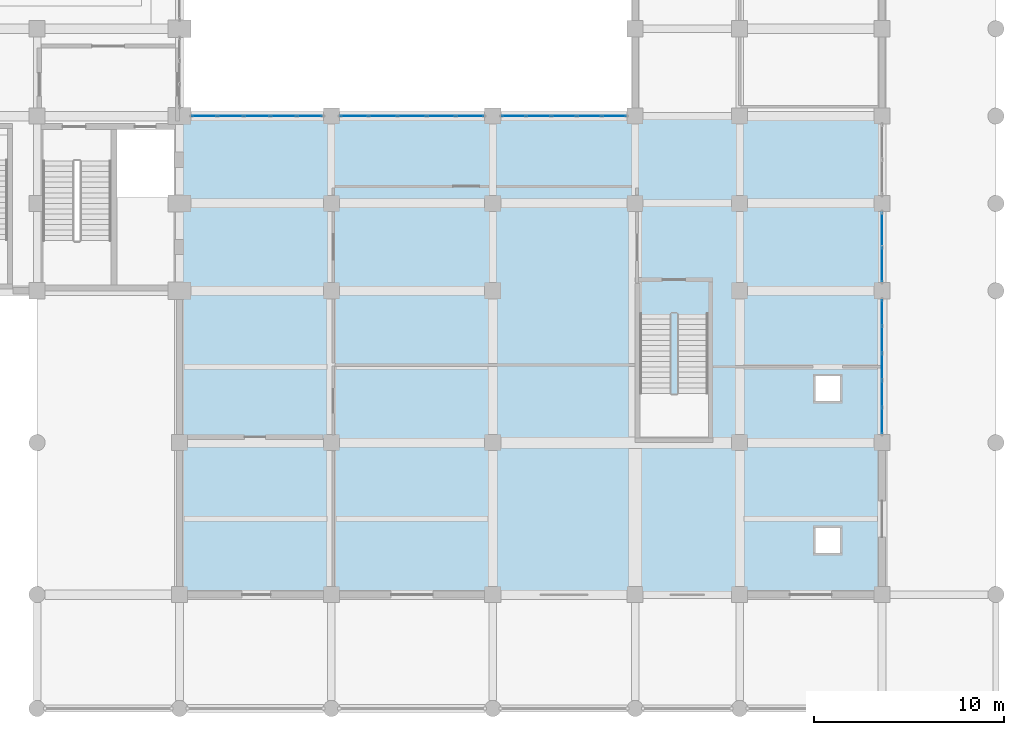
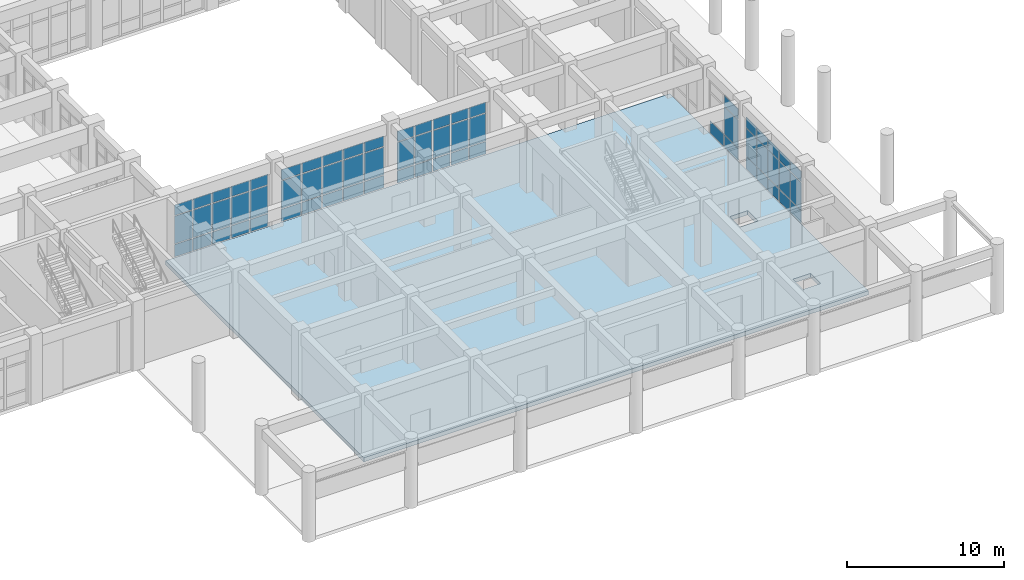
# One storey, part 57 of 84: 64 plates, 1 slab, 5 elements without a shape of their own.
"""IFC4 building model written with IfcOpenShell, lengths in metres."""

from ifc_helpers import new_model, si_unit, direction, frame, origin, origin_2d, place, context, subcontext, project, spatial, polyline, rectangle, outline, extrude, material, layer, layer_set, type_object, element, aggregate, save


model = new_model("IFC4")

# Units and contexts
model_context = context("Model", 3, precision=1e-05, world=origin(), true_north=direction((0.0, 1.0)))
body_context = subcontext(model_context, "Body", "Model", "MODEL_VIEW")
ifc_project = project(units=[si_unit("LENGTHUNIT", "METRE"), si_unit("AREAUNIT", "SQUARE_METRE"), si_unit("VOLUMEUNIT", "CUBIC_METRE"), si_unit("PLANEANGLEUNIT", "RADIAN"), si_unit("MASSUNIT", "GRAM", prefix="KILO")], contexts=[model_context])

# Site, building, storey
site_placement = place(None, origin())
site = spatial("IfcSite", under=ifc_project, at=site_placement, CompositionType="ELEMENT")
building_placement = place(site_placement, origin())
building = spatial("IfcBuilding", under=site, at=building_placement, Name="Muzn Square Opera House", CompositionType="ELEMENT")
storey_placement = place(building_placement, origin())
storey = spatial("IfcBuildingStorey", under=building, at=storey_placement, Name="L00", CompositionType="ELEMENT", Elevation=0.0)

# Curtain wall, plates
ifc_material_1 = material(Name="Low-E laminated acoustic double glazing", Category="glass")
ifc_layer_1 = layer(ifc_material_1, 0.159912109375, Name="Low-E laminated acoustic double glazing", Category="glass")
ifc_layer_set_1 = layer_set([ifc_layer_1], Name="Low-E laminated acoustic double glazing")
curtain_wall_type_1 = type_object("IfcCurtainWallType", Name="Glazed Curtain Wall EastCloisterS 6975x4150", PredefinedType="USERDEFINED", material=ifc_layer_set_1)
curtain_wall_1_placement = place(storey_placement, origin())
curtain_wall_1 = element("IfcCurtainWall", 1, at=curtain_wall_1_placement, inside=storey, type_object=curtain_wall_type_1, Name="Glazed Curtain Wall CW-L00-075", ObjectType="GLAZED CURTAIN WALL", PredefinedType="USERDEFINED")
ifc_layer_2 = layer(ifc_material_1, 0.035888671875, Name="Low-E laminated acoustic double glazing", Category="glass")
ifc_layer_set_2 = layer_set([ifc_layer_2], Name="Low-E laminated acoustic double glazing")
plate_type = type_object("IfcPlateType", Name="Curtain Wall Solar Glazed Panel 36mm", PredefinedType="CURTAIN_PANEL", material=ifc_layer_set_2)
plate_1_placement = place(storey_placement, frame((134.31494140625, 31.199951171875, 0.06982421875), z_axis=(0.0, 0.0, 1.0), x_axis=(1.0, 0.0, 0.0)))
plate_1 = element("IfcPlate", 2, at=plate_1_placement, type_object=plate_type, Name="CW-ECS-69x41 panel 1.1", PredefinedType="CURTAIN_PANEL", context=body_context, shape_type="SweptSolid", body=[
    extrude(rectangle(XDim=1.2900390625, YDim=0.035888671875, at=origin_2d()), origin(), (0.0, 0.0, 1.0), 0.945068359375),
])
plate_2_placement = place(storey_placement, frame((134.31494140625, 31.199951171875, 1.0849609375), z_axis=(0.0, 0.0, 1.0), x_axis=(1.0, 0.0, 0.0)))
plate_2 = element("IfcPlate", 3, at=plate_2_placement, type_object=plate_type, Name="CW-ECS-69x41 panel 1.2", PredefinedType="CURTAIN_PANEL", context=body_context, shape_type="SweptSolid", body=[
    extrude(rectangle(XDim=1.2900390625, YDim=0.035888671875, at=origin_2d()), origin(), (0.0, 0.0, 1.0), 2.1298828125),
])
plate_3_placement = place(storey_placement, frame((134.31494140625, 31.199951171875, 3.28515625), z_axis=(0.0, 0.0, 1.0), x_axis=(1.0, 0.0, 0.0)))
plate_3 = element("IfcPlate", 4, at=plate_3_placement, type_object=plate_type, Name="CW-ECS-69x41 panel 1.3", PredefinedType="CURTAIN_PANEL", context=body_context, shape_type="SweptSolid", body=[
    extrude(rectangle(XDim=1.2900390625, YDim=0.035888671875, at=origin_2d()), origin(), (0.0, 0.0, 1.0), 0.794921875),
])
plate_4_placement = place(storey_placement, frame((135.6923828125, 31.199951171875, 0.06982421875), z_axis=(0.0, 0.0, 1.0), x_axis=(1.0, 0.0, 0.0)))
plate_4 = element("IfcPlate", 5, at=plate_4_placement, type_object=plate_type, Name="CW-ECS-69x41 panel 2.1", PredefinedType="CURTAIN_PANEL", context=body_context, shape_type="SweptSolid", body=[
    extrude(rectangle(XDim=1.324951171875, YDim=0.035888671875, at=origin_2d()), origin(), (0.0, 0.0, 1.0), 0.945068359375),
])
plate_5_placement = place(storey_placement, frame((135.6923828125, 31.199951171875, 1.0849609375), z_axis=(0.0, 0.0, 1.0), x_axis=(1.0, 0.0, 0.0)))
plate_5 = element("IfcPlate", 6, at=plate_5_placement, type_object=plate_type, Name="CW-ECS-69x41 panel 2.2", PredefinedType="CURTAIN_PANEL", context=body_context, shape_type="SweptSolid", body=[
    extrude(rectangle(XDim=1.324951171875, YDim=0.035888671875, at=origin_2d()), origin(), (0.0, 0.0, 1.0), 2.1298828125),
])
plate_6_placement = place(storey_placement, frame((135.6923828125, 31.199951171875, 3.28515625), z_axis=(0.0, 0.0, 1.0), x_axis=(1.0, 0.0, 0.0)))
plate_6 = element("IfcPlate", 7, at=plate_6_placement, type_object=plate_type, Name="CW-ECS-69x41 panel 2.3", PredefinedType="CURTAIN_PANEL", context=body_context, shape_type="SweptSolid", body=[
    extrude(rectangle(XDim=1.324951171875, YDim=0.035888671875, at=origin_2d()), origin(), (0.0, 0.0, 1.0), 0.794921875),
])
plate_7_placement = place(storey_placement, frame((137.08740234375, 31.199951171875, 0.06982421875), z_axis=(0.0, 0.0, 1.0), x_axis=(1.0, 0.0, 0.0)))
plate_7 = element("IfcPlate", 8, at=plate_7_placement, type_object=plate_type, Name="CW-ECS-69x41 panel 3.1", PredefinedType="CURTAIN_PANEL", context=body_context, shape_type="SweptSolid", body=[
    extrude(rectangle(XDim=1.324951171875, YDim=0.035888671875, at=origin_2d()), origin(), (0.0, 0.0, 1.0), 0.945068359375),
])
plate_8_placement = place(storey_placement, frame((137.08740234375, 31.199951171875, 1.0849609375), z_axis=(0.0, 0.0, 1.0), x_axis=(1.0, 0.0, 0.0)))
plate_8 = element("IfcPlate", 9, at=plate_8_placement, type_object=plate_type, Name="CW-ECS-69x41 panel 3.2", PredefinedType="CURTAIN_PANEL", context=body_context, shape_type="SweptSolid", body=[
    extrude(rectangle(XDim=1.324951171875, YDim=0.035888671875, at=origin_2d()), origin(), (0.0, 0.0, 1.0), 2.1298828125),
])
plate_9_placement = place(storey_placement, frame((137.08740234375, 31.199951171875, 3.28515625), z_axis=(0.0, 0.0, 1.0), x_axis=(1.0, 0.0, 0.0)))
plate_9 = element("IfcPlate", 10, at=plate_9_placement, type_object=plate_type, Name="CW-ECS-69x41 panel 3.3", PredefinedType="CURTAIN_PANEL", context=body_context, shape_type="SweptSolid", body=[
    extrude(rectangle(XDim=1.324951171875, YDim=0.035888671875, at=origin_2d()), origin(), (0.0, 0.0, 1.0), 0.794921875),
])
plate_10_placement = place(storey_placement, frame((138.482421875, 31.199951171875, 0.06982421875), z_axis=(0.0, 0.0, 1.0), x_axis=(1.0, 0.0, 0.0)))
plate_10 = element("IfcPlate", 11, at=plate_10_placement, type_object=plate_type, Name="CW-ECS-69x41 panel 4.1", PredefinedType="CURTAIN_PANEL", context=body_context, shape_type="SweptSolid", body=[
    extrude(rectangle(XDim=1.324951171875, YDim=0.035888671875, at=origin_2d()), origin(), (0.0, 0.0, 1.0), 0.945068359375),
])
plate_11_placement = place(storey_placement, frame((138.482421875, 31.199951171875, 1.0849609375), z_axis=(0.0, 0.0, 1.0), x_axis=(1.0, 0.0, 0.0)))
plate_11 = element("IfcPlate", 12, at=plate_11_placement, type_object=plate_type, Name="CW-ECS-69x41 panel 4.2", PredefinedType="CURTAIN_PANEL", context=body_context, shape_type="SweptSolid", body=[
    extrude(rectangle(XDim=1.324951171875, YDim=0.035888671875, at=origin_2d()), origin(), (0.0, 0.0, 1.0), 2.1298828125),
])
plate_12_placement = place(storey_placement, frame((138.482421875, 31.199951171875, 3.28515625), z_axis=(0.0, 0.0, 1.0), x_axis=(1.0, 0.0, 0.0)))
plate_12 = element("IfcPlate", 13, at=plate_12_placement, type_object=plate_type, Name="CW-ECS-69x41 panel 4.3", PredefinedType="CURTAIN_PANEL", context=body_context, shape_type="SweptSolid", body=[
    extrude(rectangle(XDim=1.324951171875, YDim=0.035888671875, at=origin_2d()), origin(), (0.0, 0.0, 1.0), 0.794921875),
])
plate_13_placement = place(storey_placement, frame((139.860107421875, 31.199951171875, 0.06982421875), z_axis=(0.0, 0.0, 1.0), x_axis=(1.0, 0.0, 0.0)))
plate_13 = element("IfcPlate", 14, at=plate_13_placement, type_object=plate_type, Name="CW-ECS-69x41 panel 5.1", PredefinedType="CURTAIN_PANEL", context=body_context, shape_type="SweptSolid", body=[
    extrude(rectangle(XDim=1.2900390625, YDim=0.035888671875, at=origin_2d()), origin(), (0.0, 0.0, 1.0), 0.945068359375),
])
plate_14_placement = place(storey_placement, frame((139.860107421875, 31.199951171875, 1.0849609375), z_axis=(0.0, 0.0, 1.0), x_axis=(1.0, 0.0, 0.0)))
plate_14 = element("IfcPlate", 15, at=plate_14_placement, type_object=plate_type, Name="CW-ECS-69x41 panel 5.2", PredefinedType="CURTAIN_PANEL", context=body_context, shape_type="SweptSolid", body=[
    extrude(rectangle(XDim=1.2900390625, YDim=0.035888671875, at=origin_2d()), origin(), (0.0, 0.0, 1.0), 2.1298828125),
])
plate_15_placement = place(storey_placement, frame((139.860107421875, 31.199951171875, 3.28515625), z_axis=(0.0, 0.0, 1.0), x_axis=(1.0, 0.0, 0.0)))
plate_15 = element("IfcPlate", 16, at=plate_15_placement, type_object=plate_type, Name="CW-ECS-69x41 panel 5.3", PredefinedType="CURTAIN_PANEL", context=body_context, shape_type="SweptSolid", body=[
    extrude(rectangle(XDim=1.2900390625, YDim=0.035888671875, at=origin_2d()), origin(), (0.0, 0.0, 1.0), 0.794921875),
])
aggregate(curtain_wall_1, [plate_1, plate_2, plate_3, plate_4, plate_5, plate_6, plate_7, plate_8, plate_9, plate_10, plate_11, plate_12, plate_13, plate_14, plate_15])

ifc_layer_3 = layer(ifc_material_1, 0.159912109375, Name="Low-E laminated acoustic double glazing", Category="glass")
ifc_layer_set_3 = layer_set([ifc_layer_3], Name="Low-E laminated acoustic double glazing")
curtain_wall_type_2 = type_object("IfcCurtainWallType", Name="Glazed Curtain Wall EastCloisterS 7650x4150", PredefinedType="USERDEFINED", material=ifc_layer_set_3)
curtain_wall_2_placement = place(storey_placement, origin())
curtain_wall_2 = element("IfcCurtainWall", 17, at=curtain_wall_2_placement, inside=storey, type_object=curtain_wall_type_2, Name="Glazed Curtain Wall CW-L00-077", ObjectType="GLAZED CURTAIN WALL", PredefinedType="USERDEFINED")
plate_16_placement = place(storey_placement, frame((142.20751953125, 31.199951171875, 0.06982421875), z_axis=(0.0, 0.0, 1.0), x_axis=(1.0, 0.0, 0.0)))
plate_16 = element("IfcPlate", 18, at=plate_16_placement, type_object=plate_type, Name="CW-ECS-76x41 panel 1.1", PredefinedType="CURTAIN_PANEL", context=body_context, shape_type="SweptSolid", body=[
    extrude(rectangle(XDim=1.425048828125, YDim=0.035888671875, at=origin_2d()), origin(), (0.0, 0.0, 1.0), 0.945068359375),
])
plate_17_placement = place(storey_placement, frame((142.20751953125, 31.199951171875, 1.0849609375), z_axis=(0.0, 0.0, 1.0), x_axis=(1.0, 0.0, 0.0)))
plate_17 = element("IfcPlate", 19, at=plate_17_placement, type_object=plate_type, Name="CW-ECS-76x41 panel 1.2", PredefinedType="CURTAIN_PANEL", context=body_context, shape_type="SweptSolid", body=[
    extrude(rectangle(XDim=1.425048828125, YDim=0.035888671875, at=origin_2d()), origin(), (0.0, 0.0, 1.0), 2.1298828125),
])
plate_18_placement = place(storey_placement, frame((142.20751953125, 31.199951171875, 3.28515625), z_axis=(0.0, 0.0, 1.0), x_axis=(1.0, 0.0, 0.0)))
plate_18 = element("IfcPlate", 20, at=plate_18_placement, type_object=plate_type, Name="CW-ECS-76x41 panel 1.3", PredefinedType="CURTAIN_PANEL", context=body_context, shape_type="SweptSolid", body=[
    extrude(rectangle(XDim=1.425048828125, YDim=0.035888671875, at=origin_2d()), origin(), (0.0, 0.0, 1.0), 0.794921875),
])
plate_19_placement = place(storey_placement, frame((143.719970703125, 31.199951171875, 0.06982421875), z_axis=(0.0, 0.0, 1.0), x_axis=(1.0, 0.0, 0.0)))
plate_19 = element("IfcPlate", 21, at=plate_19_placement, type_object=plate_type, Name="CW-ECS-76x41 panel 2.1", PredefinedType="CURTAIN_PANEL", context=body_context, shape_type="SweptSolid", body=[
    extrude(rectangle(XDim=1.4599609375, YDim=0.035888671875, at=origin_2d()), origin(), (0.0, 0.0, 1.0), 0.945068359375),
])
plate_20_placement = place(storey_placement, frame((143.719970703125, 31.199951171875, 1.0849609375), z_axis=(0.0, 0.0, 1.0), x_axis=(1.0, 0.0, 0.0)))
plate_20 = element("IfcPlate", 22, at=plate_20_placement, type_object=plate_type, Name="CW-ECS-76x41 panel 2.2", PredefinedType="CURTAIN_PANEL", context=body_context, shape_type="SweptSolid", body=[
    extrude(rectangle(XDim=1.4599609375, YDim=0.035888671875, at=origin_2d()), origin(), (0.0, 0.0, 1.0), 2.1298828125),
])
plate_21_placement = place(storey_placement, frame((143.719970703125, 31.199951171875, 3.28515625), z_axis=(0.0, 0.0, 1.0), x_axis=(1.0, 0.0, 0.0)))
plate_21 = element("IfcPlate", 23, at=plate_21_placement, type_object=plate_type, Name="CW-ECS-76x41 panel 2.3", PredefinedType="CURTAIN_PANEL", context=body_context, shape_type="SweptSolid", body=[
    extrude(rectangle(XDim=1.4599609375, YDim=0.035888671875, at=origin_2d()), origin(), (0.0, 0.0, 1.0), 0.794921875),
])
plate_22_placement = place(storey_placement, frame((145.25, 31.199951171875, 0.06982421875), z_axis=(0.0, 0.0, 1.0), x_axis=(1.0, 0.0, 0.0)))
plate_22 = element("IfcPlate", 24, at=plate_22_placement, type_object=plate_type, Name="CW-ECS-76x41 panel 3.1", PredefinedType="CURTAIN_PANEL", context=body_context, shape_type="SweptSolid", body=[
    extrude(rectangle(XDim=1.4599609375, YDim=0.035888671875, at=origin_2d()), origin(), (0.0, 0.0, 1.0), 0.945068359375),
])
plate_23_placement = place(storey_placement, frame((145.25, 31.199951171875, 1.0849609375), z_axis=(0.0, 0.0, 1.0), x_axis=(1.0, 0.0, 0.0)))
plate_23 = element("IfcPlate", 25, at=plate_23_placement, type_object=plate_type, Name="CW-ECS-76x41 panel 3.2", PredefinedType="CURTAIN_PANEL", context=body_context, shape_type="SweptSolid", body=[
    extrude(rectangle(XDim=1.4599609375, YDim=0.035888671875, at=origin_2d()), origin(), (0.0, 0.0, 1.0), 2.1298828125),
])
plate_24_placement = place(storey_placement, frame((145.25, 31.199951171875, 3.28515625), z_axis=(0.0, 0.0, 1.0), x_axis=(1.0, 0.0, 0.0)))
plate_24 = element("IfcPlate", 26, at=plate_24_placement, type_object=plate_type, Name="CW-ECS-76x41 panel 3.3", PredefinedType="CURTAIN_PANEL", context=body_context, shape_type="SweptSolid", body=[
    extrude(rectangle(XDim=1.4599609375, YDim=0.035888671875, at=origin_2d()), origin(), (0.0, 0.0, 1.0), 0.794921875),
])
plate_25_placement = place(storey_placement, frame((146.780029296875, 31.199951171875, 0.06982421875), z_axis=(0.0, 0.0, 1.0), x_axis=(1.0, 0.0, 0.0)))
plate_25 = element("IfcPlate", 27, at=plate_25_placement, type_object=plate_type, Name="CW-ECS-76x41 panel 4.1", PredefinedType="CURTAIN_PANEL", context=body_context, shape_type="SweptSolid", body=[
    extrude(rectangle(XDim=1.4599609375, YDim=0.035888671875, at=origin_2d()), origin(), (0.0, 0.0, 1.0), 0.945068359375),
])
plate_26_placement = place(storey_placement, frame((146.780029296875, 31.199951171875, 1.0849609375), z_axis=(0.0, 0.0, 1.0), x_axis=(1.0, 0.0, 0.0)))
plate_26 = element("IfcPlate", 28, at=plate_26_placement, type_object=plate_type, Name="CW-ECS-76x41 panel 4.2", PredefinedType="CURTAIN_PANEL", context=body_context, shape_type="SweptSolid", body=[
    extrude(rectangle(XDim=1.4599609375, YDim=0.035888671875, at=origin_2d()), origin(), (0.0, 0.0, 1.0), 2.1298828125),
])
plate_27_placement = place(storey_placement, frame((146.780029296875, 31.199951171875, 3.28515625), z_axis=(0.0, 0.0, 1.0), x_axis=(1.0, 0.0, 0.0)))
plate_27 = element("IfcPlate", 29, at=plate_27_placement, type_object=plate_type, Name="CW-ECS-76x41 panel 4.3", PredefinedType="CURTAIN_PANEL", context=body_context, shape_type="SweptSolid", body=[
    extrude(rectangle(XDim=1.4599609375, YDim=0.035888671875, at=origin_2d()), origin(), (0.0, 0.0, 1.0), 0.794921875),
])
plate_28_placement = place(storey_placement, frame((148.29248046875, 31.199951171875, 0.06982421875), z_axis=(0.0, 0.0, 1.0), x_axis=(1.0, 0.0, 0.0)))
plate_28 = element("IfcPlate", 30, at=plate_28_placement, type_object=plate_type, Name="CW-ECS-76x41 panel 5.1", PredefinedType="CURTAIN_PANEL", context=body_context, shape_type="SweptSolid", body=[
    extrude(rectangle(XDim=1.425048828125, YDim=0.035888671875, at=origin_2d()), origin(), (0.0, 0.0, 1.0), 0.945068359375),
])
plate_29_placement = place(storey_placement, frame((148.29248046875, 31.199951171875, 1.0849609375), z_axis=(0.0, 0.0, 1.0), x_axis=(1.0, 0.0, 0.0)))
plate_29 = element("IfcPlate", 31, at=plate_29_placement, type_object=plate_type, Name="CW-ECS-76x41 panel 5.2", PredefinedType="CURTAIN_PANEL", context=body_context, shape_type="SweptSolid", body=[
    extrude(rectangle(XDim=1.425048828125, YDim=0.035888671875, at=origin_2d()), origin(), (0.0, 0.0, 1.0), 2.1298828125),
])
plate_30_placement = place(storey_placement, frame((148.29248046875, 31.199951171875, 3.28515625), z_axis=(0.0, 0.0, 1.0), x_axis=(1.0, 0.0, 0.0)))
plate_30 = element("IfcPlate", 32, at=plate_30_placement, type_object=plate_type, Name="CW-ECS-76x41 panel 5.3", PredefinedType="CURTAIN_PANEL", context=body_context, shape_type="SweptSolid", body=[
    extrude(rectangle(XDim=1.425048828125, YDim=0.035888671875, at=origin_2d()), origin(), (0.0, 0.0, 1.0), 0.794921875),
])
aggregate(curtain_wall_2, [plate_16, plate_17, plate_18, plate_19, plate_20, plate_21, plate_22, plate_23, plate_24, plate_25, plate_26, plate_27, plate_28, plate_29, plate_30])

ifc_layer_4 = layer(ifc_material_1, 0.159912109375, Name="Low-E laminated acoustic double glazing", Category="glass")
ifc_layer_set_4 = layer_set([ifc_layer_4], Name="Low-E laminated acoustic double glazing")
curtain_wall_type_3 = type_object("IfcCurtainWallType", Name="Glazed Curtain Wall EastCloisterS 6650x4150", PredefinedType="USERDEFINED", material=ifc_layer_set_4)
curtain_wall_3_placement = place(storey_placement, origin())
curtain_wall_3 = element("IfcCurtainWall", 33, at=curtain_wall_3_placement, inside=storey, type_object=curtain_wall_type_3, Name="Glazed Curtain Wall CW-L00-079", ObjectType="GLAZED CURTAIN WALL", PredefinedType="USERDEFINED")
plate_31_placement = place(storey_placement, frame((150.607421875, 31.199951171875, 0.06982421875), z_axis=(0.0, 0.0, 1.0), x_axis=(1.0, 0.0, 0.0)))
plate_31 = element("IfcPlate", 34, at=plate_31_placement, type_object=plate_type, Name="CW-ECS-66x41 panel 1.1", PredefinedType="CURTAIN_PANEL", context=body_context, shape_type="SweptSolid", body=[
    extrude(rectangle(XDim=1.22509765625, YDim=0.035888671875, at=origin_2d()), origin(), (0.0, 0.0, 1.0), 0.945068359375),
])
plate_32_placement = place(storey_placement, frame((150.607421875, 31.199951171875, 1.0849609375), z_axis=(0.0, 0.0, 1.0), x_axis=(1.0, 0.0, 0.0)))
plate_32 = element("IfcPlate", 35, at=plate_32_placement, type_object=plate_type, Name="CW-ECS-66x41 panel 1.2", PredefinedType="CURTAIN_PANEL", context=body_context, shape_type="SweptSolid", body=[
    extrude(rectangle(XDim=1.22509765625, YDim=0.035888671875, at=origin_2d()), origin(), (0.0, 0.0, 1.0), 2.1298828125),
])
plate_33_placement = place(storey_placement, frame((150.607421875, 31.199951171875, 3.28515625), z_axis=(0.0, 0.0, 1.0), x_axis=(1.0, 0.0, 0.0)))
plate_33 = element("IfcPlate", 36, at=plate_33_placement, type_object=plate_type, Name="CW-ECS-66x41 panel 1.3", PredefinedType="CURTAIN_PANEL", context=body_context, shape_type="SweptSolid", body=[
    extrude(rectangle(XDim=1.22509765625, YDim=0.035888671875, at=origin_2d()), origin(), (0.0, 0.0, 1.0), 0.794921875),
])
plate_34_placement = place(storey_placement, frame((151.919921875, 31.199951171875, 0.06982421875), z_axis=(0.0, 0.0, 1.0), x_axis=(1.0, 0.0, 0.0)))
plate_34 = element("IfcPlate", 37, at=plate_34_placement, type_object=plate_type, Name="CW-ECS-66x41 panel 2.1", PredefinedType="CURTAIN_PANEL", context=body_context, shape_type="SweptSolid", body=[
    extrude(rectangle(XDim=1.260009765625, YDim=0.035888671875, at=origin_2d()), origin(), (0.0, 0.0, 1.0), 0.945068359375),
])
plate_35_placement = place(storey_placement, frame((151.919921875, 31.199951171875, 1.0849609375), z_axis=(0.0, 0.0, 1.0), x_axis=(1.0, 0.0, 0.0)))
plate_35 = element("IfcPlate", 38, at=plate_35_placement, type_object=plate_type, Name="CW-ECS-66x41 panel 2.2", PredefinedType="CURTAIN_PANEL", context=body_context, shape_type="SweptSolid", body=[
    extrude(rectangle(XDim=1.260009765625, YDim=0.035888671875, at=origin_2d()), origin(), (0.0, 0.0, 1.0), 2.1298828125),
])
plate_36_placement = place(storey_placement, frame((151.919921875, 31.199951171875, 3.28515625), z_axis=(0.0, 0.0, 1.0), x_axis=(1.0, 0.0, 0.0)))
plate_36 = element("IfcPlate", 39, at=plate_36_placement, type_object=plate_type, Name="CW-ECS-66x41 panel 2.3", PredefinedType="CURTAIN_PANEL", context=body_context, shape_type="SweptSolid", body=[
    extrude(rectangle(XDim=1.260009765625, YDim=0.035888671875, at=origin_2d()), origin(), (0.0, 0.0, 1.0), 0.794921875),
])
plate_37_placement = place(storey_placement, frame((153.25, 31.199951171875, 0.06982421875), z_axis=(0.0, 0.0, 1.0), x_axis=(1.0, 0.0, 0.0)))
plate_37 = element("IfcPlate", 40, at=plate_37_placement, type_object=plate_type, Name="CW-ECS-66x41 panel 3.1", PredefinedType="CURTAIN_PANEL", context=body_context, shape_type="SweptSolid", body=[
    extrude(rectangle(XDim=1.260009765625, YDim=0.035888671875, at=origin_2d()), origin(), (0.0, 0.0, 1.0), 0.945068359375),
])
plate_38_placement = place(storey_placement, frame((153.25, 31.199951171875, 1.0849609375), z_axis=(0.0, 0.0, 1.0), x_axis=(1.0, 0.0, 0.0)))
plate_38 = element("IfcPlate", 41, at=plate_38_placement, type_object=plate_type, Name="CW-ECS-66x41 panel 3.2", PredefinedType="CURTAIN_PANEL", context=body_context, shape_type="SweptSolid", body=[
    extrude(rectangle(XDim=1.260009765625, YDim=0.035888671875, at=origin_2d()), origin(), (0.0, 0.0, 1.0), 2.1298828125),
])
plate_39_placement = place(storey_placement, frame((153.25, 31.199951171875, 3.28515625), z_axis=(0.0, 0.0, 1.0), x_axis=(1.0, 0.0, 0.0)))
plate_39 = element("IfcPlate", 42, at=plate_39_placement, type_object=plate_type, Name="CW-ECS-66x41 panel 3.3", PredefinedType="CURTAIN_PANEL", context=body_context, shape_type="SweptSolid", body=[
    extrude(rectangle(XDim=1.260009765625, YDim=0.035888671875, at=origin_2d()), origin(), (0.0, 0.0, 1.0), 0.794921875),
])
plate_40_placement = place(storey_placement, frame((154.580078125, 31.199951171875, 0.06982421875), z_axis=(0.0, 0.0, 1.0), x_axis=(1.0, 0.0, 0.0)))
plate_40 = element("IfcPlate", 43, at=plate_40_placement, type_object=plate_type, Name="CW-ECS-66x41 panel 4.1", PredefinedType="CURTAIN_PANEL", context=body_context, shape_type="SweptSolid", body=[
    extrude(rectangle(XDim=1.260009765625, YDim=0.035888671875, at=origin_2d()), origin(), (0.0, 0.0, 1.0), 0.945068359375),
])
plate_41_placement = place(storey_placement, frame((154.580078125, 31.199951171875, 1.0849609375), z_axis=(0.0, 0.0, 1.0), x_axis=(1.0, 0.0, 0.0)))
plate_41 = element("IfcPlate", 44, at=plate_41_placement, type_object=plate_type, Name="CW-ECS-66x41 panel 4.2", PredefinedType="CURTAIN_PANEL", context=body_context, shape_type="SweptSolid", body=[
    extrude(rectangle(XDim=1.260009765625, YDim=0.035888671875, at=origin_2d()), origin(), (0.0, 0.0, 1.0), 2.1298828125),
])
plate_42_placement = place(storey_placement, frame((154.580078125, 31.199951171875, 3.28515625), z_axis=(0.0, 0.0, 1.0), x_axis=(1.0, 0.0, 0.0)))
plate_42 = element("IfcPlate", 45, at=plate_42_placement, type_object=plate_type, Name="CW-ECS-66x41 panel 4.3", PredefinedType="CURTAIN_PANEL", context=body_context, shape_type="SweptSolid", body=[
    extrude(rectangle(XDim=1.260009765625, YDim=0.035888671875, at=origin_2d()), origin(), (0.0, 0.0, 1.0), 0.794921875),
])
plate_43_placement = place(storey_placement, frame((155.892578125, 31.199951171875, 0.06982421875), z_axis=(0.0, 0.0, 1.0), x_axis=(1.0, 0.0, 0.0)))
plate_43 = element("IfcPlate", 46, at=plate_43_placement, type_object=plate_type, Name="CW-ECS-66x41 panel 5.1", PredefinedType="CURTAIN_PANEL", context=body_context, shape_type="SweptSolid", body=[
    extrude(rectangle(XDim=1.22509765625, YDim=0.035888671875, at=origin_2d()), origin(), (0.0, 0.0, 1.0), 0.945068359375),
])
plate_44_placement = place(storey_placement, frame((155.892578125, 31.199951171875, 1.0849609375), z_axis=(0.0, 0.0, 1.0), x_axis=(1.0, 0.0, 0.0)))
plate_44 = element("IfcPlate", 47, at=plate_44_placement, type_object=plate_type, Name="CW-ECS-66x41 panel 5.2", PredefinedType="CURTAIN_PANEL", context=body_context, shape_type="SweptSolid", body=[
    extrude(rectangle(XDim=1.22509765625, YDim=0.035888671875, at=origin_2d()), origin(), (0.0, 0.0, 1.0), 2.1298828125),
])
plate_45_placement = place(storey_placement, frame((155.892578125, 31.199951171875, 3.28515625), z_axis=(0.0, 0.0, 1.0), x_axis=(1.0, 0.0, 0.0)))
plate_45 = element("IfcPlate", 48, at=plate_45_placement, type_object=plate_type, Name="CW-ECS-66x41 panel 5.3", PredefinedType="CURTAIN_PANEL", context=body_context, shape_type="SweptSolid", body=[
    extrude(rectangle(XDim=1.22509765625, YDim=0.035888671875, at=origin_2d()), origin(), (0.0, 0.0, 1.0), 0.794921875),
])
aggregate(curtain_wall_3, [plate_31, plate_32, plate_33, plate_34, plate_35, plate_36, plate_37, plate_38, plate_39, plate_40, plate_41, plate_42, plate_43, plate_44, plate_45])

ifc_layer_5 = layer(ifc_material_1, 0.159912109375, Name="Low-E laminated acoustic double glazing", Category="glass")
ifc_layer_set_5 = layer_set([ifc_layer_5], Name="Low-E laminated acoustic double glazing")
curtain_wall_type_4 = type_object("IfcCurtainWallType", Name="Glazed Curtain Wall EastBlvd 7150x4150", PredefinedType="USERDEFINED", material=ifc_layer_set_5)
curtain_wall_4_placement = place(storey_placement, origin())
curtain_wall_4 = element("IfcCurtainWall", 49, at=curtain_wall_4_placement, inside=storey, type_object=curtain_wall_type_4, Name="Glazed Curtain Wall CW-L00-105", ObjectType="GLAZED CURTAIN WALL", PredefinedType="USERDEFINED")
plate_46_placement = place(storey_placement, frame((170.0, 15.157470703125, 0.06982421875), z_axis=(0.0, 0.0, 1.0), x_axis=(0.0, 1.0, 0.0)))
plate_46 = element("IfcPlate", 50, at=plate_46_placement, type_object=plate_type, Name="CW-EBL-71x41 panel 1.1", PredefinedType="CURTAIN_PANEL", context=body_context, shape_type="SweptSolid", body=[
    extrude(rectangle(XDim=1.324951171875, YDim=0.035888671875, at=origin_2d()), origin(), (0.0, 0.0, 1.0), 0.945068359375),
])
plate_47_placement = place(storey_placement, frame((170.0, 15.157470703125, 1.0849609375), z_axis=(0.0, 0.0, 1.0), x_axis=(0.0, 1.0, 0.0)))
plate_47 = element("IfcPlate", 51, at=plate_47_placement, type_object=plate_type, Name="CW-EBL-71x41 panel 1.2", PredefinedType="CURTAIN_PANEL", context=body_context, shape_type="SweptSolid", body=[
    extrude(rectangle(XDim=1.324951171875, YDim=0.035888671875, at=origin_2d()), origin(), (0.0, 0.0, 1.0), 2.1298828125),
])
plate_48_placement = place(storey_placement, frame((170.0, 15.157470703125, 3.28515625), z_axis=(0.0, 0.0, 1.0), x_axis=(0.0, 1.0, 0.0)))
plate_48 = element("IfcPlate", 52, at=plate_48_placement, type_object=plate_type, Name="CW-EBL-71x41 panel 1.3", PredefinedType="CURTAIN_PANEL", context=body_context, shape_type="SweptSolid", body=[
    extrude(rectangle(XDim=1.324951171875, YDim=0.035888671875, at=origin_2d()), origin(), (0.0, 0.0, 1.0), 0.794921875),
])
plate_49_placement = place(storey_placement, frame((170.0, 16.570068359375, 0.06982421875), z_axis=(0.0, 0.0, 1.0), x_axis=(0.0, 1.0, 0.0)))
plate_49 = element("IfcPlate", 53, at=plate_49_placement, type_object=plate_type, Name="CW-EBL-71x41 panel 2.1", PredefinedType="CURTAIN_PANEL", context=body_context, shape_type="SweptSolid", body=[
    extrude(rectangle(XDim=1.360107421875, YDim=0.035888671875, at=origin_2d()), origin(), (0.0, 0.0, 1.0), 0.945068359375),
])
plate_50_placement = place(storey_placement, frame((170.0, 16.570068359375, 1.0849609375), z_axis=(0.0, 0.0, 1.0), x_axis=(0.0, 1.0, 0.0)))
plate_50 = element("IfcPlate", 54, at=plate_50_placement, type_object=plate_type, Name="CW-EBL-71x41 panel 2.2", PredefinedType="CURTAIN_PANEL", context=body_context, shape_type="SweptSolid", body=[
    extrude(rectangle(XDim=1.360107421875, YDim=0.035888671875, at=origin_2d()), origin(), (0.0, 0.0, 1.0), 2.1298828125),
])
plate_51_placement = place(storey_placement, frame((170.0, 16.570068359375, 3.28515625), z_axis=(0.0, 0.0, 1.0), x_axis=(0.0, 1.0, 0.0)))
plate_51 = element("IfcPlate", 55, at=plate_51_placement, type_object=plate_type, Name="CW-EBL-71x41 panel 2.3", PredefinedType="CURTAIN_PANEL", context=body_context, shape_type="SweptSolid", body=[
    extrude(rectangle(XDim=1.360107421875, YDim=0.035888671875, at=origin_2d()), origin(), (0.0, 0.0, 1.0), 0.794921875),
])
plate_52_placement = place(storey_placement, frame((170.0, 18.0, 0.06982421875), z_axis=(0.0, 0.0, 1.0), x_axis=(0.0, 1.0, 0.0)))
plate_52 = element("IfcPlate", 56, at=plate_52_placement, type_object=plate_type, Name="CW-EBL-71x41 panel 3.1", PredefinedType="CURTAIN_PANEL", context=body_context, shape_type="SweptSolid", body=[
    extrude(rectangle(XDim=1.360107421875, YDim=0.035888671875, at=origin_2d()), origin(), (0.0, 0.0, 1.0), 0.945068359375),
])
plate_53_placement = place(storey_placement, frame((170.0, 18.0, 1.0849609375), z_axis=(0.0, 0.0, 1.0), x_axis=(0.0, 1.0, 0.0)))
plate_53 = element("IfcPlate", 57, at=plate_53_placement, type_object=plate_type, Name="CW-EBL-71x41 panel 3.2", PredefinedType="CURTAIN_PANEL", context=body_context, shape_type="SweptSolid", body=[
    extrude(rectangle(XDim=1.360107421875, YDim=0.035888671875, at=origin_2d()), origin(), (0.0, 0.0, 1.0), 2.1298828125),
])
plate_54_placement = place(storey_placement, frame((170.0, 18.0, 3.28515625), z_axis=(0.0, 0.0, 1.0), x_axis=(0.0, 1.0, 0.0)))
plate_54 = element("IfcPlate", 58, at=plate_54_placement, type_object=plate_type, Name="CW-EBL-71x41 panel 3.3", PredefinedType="CURTAIN_PANEL", context=body_context, shape_type="SweptSolid", body=[
    extrude(rectangle(XDim=1.360107421875, YDim=0.035888671875, at=origin_2d()), origin(), (0.0, 0.0, 1.0), 0.794921875),
])
plate_55_placement = place(storey_placement, frame((170.0, 19.429931640625, 0.06982421875), z_axis=(0.0, 0.0, 1.0), x_axis=(0.0, 1.0, 0.0)))
plate_55 = element("IfcPlate", 59, at=plate_55_placement, type_object=plate_type, Name="CW-EBL-71x41 panel 4.1", PredefinedType="CURTAIN_PANEL", context=body_context, shape_type="SweptSolid", body=[
    extrude(rectangle(XDim=1.360107421875, YDim=0.035888671875, at=origin_2d()), origin(), (0.0, 0.0, 1.0), 0.945068359375),
])
plate_56_placement = place(storey_placement, frame((170.0, 19.429931640625, 1.0849609375), z_axis=(0.0, 0.0, 1.0), x_axis=(0.0, 1.0, 0.0)))
plate_56 = element("IfcPlate", 60, at=plate_56_placement, type_object=plate_type, Name="CW-EBL-71x41 panel 4.2", PredefinedType="CURTAIN_PANEL", context=body_context, shape_type="SweptSolid", body=[
    extrude(rectangle(XDim=1.360107421875, YDim=0.035888671875, at=origin_2d()), origin(), (0.0, 0.0, 1.0), 2.1298828125),
])
plate_57_placement = place(storey_placement, frame((170.0, 19.429931640625, 3.28515625), z_axis=(0.0, 0.0, 1.0), x_axis=(0.0, 1.0, 0.0)))
plate_57 = element("IfcPlate", 61, at=plate_57_placement, type_object=plate_type, Name="CW-EBL-71x41 panel 4.3", PredefinedType="CURTAIN_PANEL", context=body_context, shape_type="SweptSolid", body=[
    extrude(rectangle(XDim=1.360107421875, YDim=0.035888671875, at=origin_2d()), origin(), (0.0, 0.0, 1.0), 0.794921875),
])
plate_58_placement = place(storey_placement, frame((170.0, 20.842529296875, 0.06982421875), z_axis=(0.0, 0.0, 1.0), x_axis=(0.0, 1.0, 0.0)))
plate_58 = element("IfcPlate", 62, at=plate_58_placement, type_object=plate_type, Name="CW-EBL-71x41 panel 5.1", PredefinedType="CURTAIN_PANEL", context=body_context, shape_type="SweptSolid", body=[
    extrude(rectangle(XDim=1.324951171875, YDim=0.035888671875, at=origin_2d()), origin(), (0.0, 0.0, 1.0), 0.945068359375),
])
plate_59_placement = place(storey_placement, frame((170.0, 20.842529296875, 1.0849609375), z_axis=(0.0, 0.0, 1.0), x_axis=(0.0, 1.0, 0.0)))
plate_59 = element("IfcPlate", 63, at=plate_59_placement, type_object=plate_type, Name="CW-EBL-71x41 panel 5.2", PredefinedType="CURTAIN_PANEL", context=body_context, shape_type="SweptSolid", body=[
    extrude(rectangle(XDim=1.324951171875, YDim=0.035888671875, at=origin_2d()), origin(), (0.0, 0.0, 1.0), 2.1298828125),
])
plate_60_placement = place(storey_placement, frame((170.0, 20.842529296875, 3.28515625), z_axis=(0.0, 0.0, 1.0), x_axis=(0.0, 1.0, 0.0)))
plate_60 = element("IfcPlate", 64, at=plate_60_placement, type_object=plate_type, Name="CW-EBL-71x41 panel 5.3", PredefinedType="CURTAIN_PANEL", context=body_context, shape_type="SweptSolid", body=[
    extrude(rectangle(XDim=1.324951171875, YDim=0.035888671875, at=origin_2d()), origin(), (0.0, 0.0, 1.0), 0.794921875),
])
aggregate(curtain_wall_4, [plate_46, plate_47, plate_48, plate_49, plate_50, plate_51, plate_52, plate_53, plate_54, plate_55, plate_56, plate_57, plate_58, plate_59, plate_60])

ifc_layer_6 = layer(ifc_material_1, 0.159912109375, Name="Low-E laminated acoustic double glazing", Category="glass")
ifc_layer_set_6 = layer_set([ifc_layer_6], Name="Low-E laminated acoustic double glazing")
curtain_wall_type_5 = type_object("IfcCurtainWallType", Name="Glazed Curtain Wall EastBlvd 3750x4150", PredefinedType="USERDEFINED", material=ifc_layer_set_6)
curtain_wall_5_placement = place(storey_placement, origin())
curtain_wall_5 = element("IfcCurtainWall", 65, at=curtain_wall_5_placement, inside=storey, type_object=curtain_wall_type_5, Name="Glazed Curtain Wall CW-L00-106", ObjectType="GLAZED CURTAIN WALL", PredefinedType="USERDEFINED")
plate_61_placement = place(storey_placement, frame((170.0, 23.3798828125, 0.06982421875), z_axis=(0.0, 0.0, 1.0), x_axis=(0.0, 1.0, 0.0)))
plate_61 = element("IfcPlate", 66, at=plate_61_placement, type_object=plate_type, Name="CW-EBL-37x41 panel 1.1", PredefinedType="CURTAIN_PANEL", context=body_context, shape_type="SweptSolid", body=[
    extrude(rectangle(XDim=1.77001953125, YDim=0.035888671875, at=origin_2d()), origin(), (0.0, 0.0, 1.0), 0.945068359375),
])
plate_62_placement = place(storey_placement, frame((170.0, 23.3798828125, 1.0849609375), z_axis=(0.0, 0.0, 1.0), x_axis=(0.0, 1.0, 0.0)))
plate_62 = element("IfcPlate", 67, at=plate_62_placement, type_object=plate_type, Name="CW-EBL-37x41 panel 1.2", PredefinedType="CURTAIN_PANEL", context=body_context, shape_type="SweptSolid", body=[
    extrude(rectangle(XDim=1.77001953125, YDim=0.035888671875, at=origin_2d()), origin(), (0.0, 0.0, 1.0), 2.1298828125),
])
plate_63_placement = place(storey_placement, frame((170.0, 23.3798828125, 3.28515625), z_axis=(0.0, 0.0, 1.0), x_axis=(0.0, 1.0, 0.0)))
plate_63 = element("IfcPlate", 68, at=plate_63_placement, type_object=plate_type, Name="CW-EBL-37x41 panel 1.3", PredefinedType="CURTAIN_PANEL", context=body_context, shape_type="SweptSolid", body=[
    extrude(rectangle(XDim=1.77001953125, YDim=0.035888671875, at=origin_2d()), origin(), (0.0, 0.0, 1.0), 0.794921875),
])
plate_64_placement = place(storey_placement, frame((170.0, 25.219970703125, 0.06982421875), z_axis=(0.0, 0.0, 1.0), x_axis=(0.0, 1.0, 0.0)))
plate_64 = element("IfcPlate", 69, at=plate_64_placement, type_object=plate_type, Name="CW-EBL-37x41 panel 2.1", PredefinedType="CURTAIN_PANEL", context=body_context, shape_type="SweptSolid", body=[
    extrude(rectangle(XDim=1.77001953125, YDim=0.035888671875, at=origin_2d()), origin(), (0.0, 0.0, 1.0), 0.945068359375),
])
aggregate(curtain_wall_5, [plate_61, plate_62, plate_63, plate_64])

# Slab
ifc_material_2 = material(Name="Concrete C40/50", Category="concrete")
ifc_layer_7 = layer(ifc_material_2, 0.320068359375, Name="Concrete C40/50", Category="concrete")
ifc_layer_set_7 = layer_set([ifc_layer_7], Name="Concrete C40/50")
slab_type = type_object("IfcSlabType", Name="Floor Slab 320mm", PredefinedType="FLOOR", material=ifc_layer_set_7)
slab_placement = place(storey_placement, frame((0.0, 0.0, -0.320068359375)))
element("IfcSlab", 70, at=slab_placement, inside=storey, type_object=slab_type, Name="Floor Slab SLB-L00-ESOUTH", PredefinedType="FLOOR", context=body_context, shape_type="SweptSolid", body=[
    extrude(outline(polyline([(133.0, 6.0), (170.0, 6.0), (170.0, 31.199951171875), (133.0, 31.199951171875), (133.0, 6.0)]), holes=[polyline([(166.5, 8.199951171875), (167.800048828125, 8.199951171875), (167.800048828125, 9.5), (166.5, 9.5), (166.5, 8.199951171875)]), polyline([(166.5, 16.199951171875), (167.800048828125, 16.199951171875), (167.800048828125, 17.5), (166.5, 17.5), (166.5, 16.199951171875)])]), origin(), (0.0, 0.0, 1.0), 0.320068359375),
])

save(model, "model.ifc")
